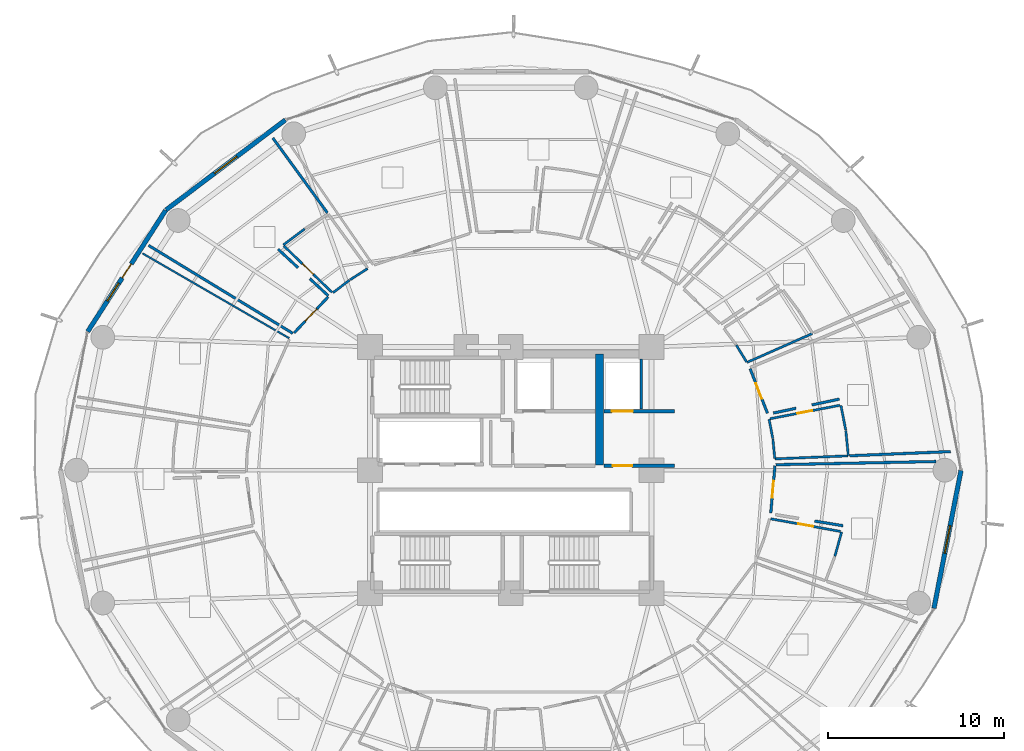
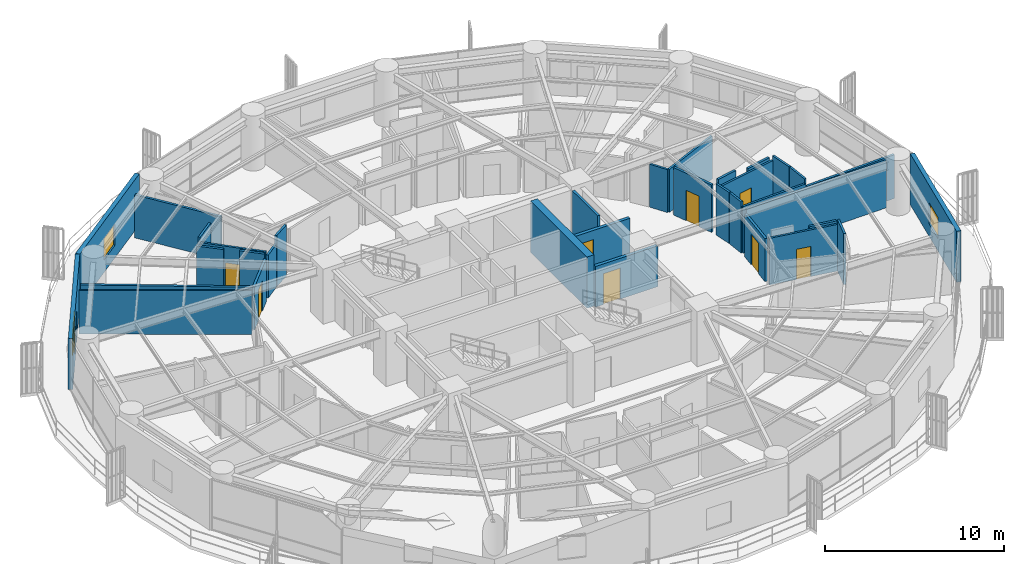
# One storey, part 29 of 35: 34 walls, 9 doors, 3 windows, 12 openings.
"""IFC4 building model written with IfcOpenShell, lengths in metres."""

import ifcopenshell
import ifcopenshell.guid

model = None  # the IFC model being written
_history = None  # IfcOwnerHistory: only IFC2X3 demands one
_inside = {}  # id of a spatial element -> (the spatial element, [elements in it])
_under = {}  # id of a project, library or spatial element -> (it, [spatial elements below it])
_declared = {}  # id of a project -> (the project, [libraries it declares])
_typed = {}  # id of a type object -> (the type object, [elements of that type])
_made_of = {}  # id of a material, layer set ... -> (it, [elements and type objects made of it])


def new_model(schema):
    """Start an empty IFC model of exactly this schema.

    Asked for "IFC4X3", IfcOpenShell would pick the latest addendum, in which some entities
    have other attributes; the version numbers below select the first issue.
    IFC2X3 requires an IfcOwnerHistory on every rooted entity: one is made here for all.
    """
    global model, _history
    if schema == "IFC4X3":
        model = ifcopenshell.file(schema_version=(4, 3, 0, 0))
    else:
        model = ifcopenshell.file(schema=schema)
    _inside.clear()
    _under.clear()
    _declared.clear()
    _typed.clear()
    _made_of.clear()
    _history = None
    if model.schema == "IFC2X3":
        org = make("IfcOrganization", Name="unknown")
        user = make(
            "IfcPersonAndOrganization",
            ThePerson=make("IfcPerson", FamilyName="unknown"),
            TheOrganization=org,
        )
        app = make(
            "IfcApplication",
            ApplicationDeveloper=org,
            Version="unknown",
            ApplicationFullName="unknown",
            ApplicationIdentifier="unknown",
        )
        _history = make(
            "IfcOwnerHistory",
            OwningUser=user,
            OwningApplication=app,
            ChangeAction="ADDED",
            CreationDate=0,
        )
    return model


def make(cls, **values):
    """One entity of the class cls with the attributes given. An attribute that is None is left unset."""
    return model.create_entity(
        cls, **{name: value for name, value in values.items() if value is not None}
    )


def rooted(cls, **values):
    """An entity with a GlobalId (a new one), such as an element, a storey or a relation."""
    return make(cls, GlobalId=ifcopenshell.guid.new(), OwnerHistory=_history, **values)


def si_unit(unit_type, name, prefix=None):
    """IfcSIUnit, for example si_unit("LENGTHUNIT", "METRE", prefix="MILLI")."""
    return make("IfcSIUnit", UnitType=unit_type, Prefix=prefix, Name=name)


def assignment(units):
    """IfcUnitAssignment: the units of a project."""
    return None if units is None else make("IfcUnitAssignment", Units=units)


def point(xyz):
    """IfcCartesianPoint."""
    return None if xyz is None else make("IfcCartesianPoint", Coordinates=xyz)


def direction(xyz):
    """IfcDirection."""
    return None if xyz is None else make("IfcDirection", DirectionRatios=xyz)


def frame(location, z_axis=None, x_axis=None):
    """IfcAxis2Placement3D, a coordinate frame: its origin and axes. An axis left out is left unset."""
    return make(
        "IfcAxis2Placement3D",
        Location=point(location),
        Axis=direction(z_axis),
        RefDirection=direction(x_axis),
    )


def frame_2d(location, x_axis=None):
    """IfcAxis2Placement2D, a coordinate frame in the plane: its origin and x axis."""
    return make(
        "IfcAxis2Placement2D", Location=point(location), RefDirection=direction(x_axis)
    )


def origin():
    """The frame at (0, 0, 0) with its axes left unset."""
    return frame((0.0, 0.0, 0.0))


def place(relative_to, where):
    """IfcLocalPlacement: puts the frame where relative to a parent placement (None: the world)."""
    return make(
        "IfcLocalPlacement", PlacementRelTo=relative_to, RelativePlacement=where
    )


def context(
    kind, dimensions, precision=None, world=None, true_north=None, identifier=None
):
    """IfcGeometricRepresentationContext, for example the 3D "Model" context."""
    return make(
        "IfcGeometricRepresentationContext",
        ContextIdentifier=identifier,
        ContextType=kind,
        CoordinateSpaceDimension=dimensions,
        Precision=precision,
        WorldCoordinateSystem=world,
        TrueNorth=true_north,
    )


def subcontext(parent, identifier, kind, view, scale=None):
    """IfcGeometricRepresentationSubContext, for example "Body" below "Model"."""
    return make(
        "IfcGeometricRepresentationSubContext",
        ContextIdentifier=identifier,
        ContextType=kind,
        ParentContext=parent,
        TargetScale=scale,
        TargetView=view,
    )


def project(units=None, contexts=None):
    """IfcProject with its units and contexts."""
    return rooted(
        "IfcProject",
        Name="project",
        RepresentationContexts=contexts,
        UnitsInContext=assignment(units),
    )


def spatial(cls, under=None, at=None, **own):
    """A site, building, storey or space (cls), placed at a placement, below another one or the project."""
    s = rooted(cls, ObjectPlacement=at, **own)
    if under is not None:
        _under.setdefault(under.id(), (under, []))[1].append(s)
    return s


def profile(cls, at=None, kind="AREA", **sizes):
    """A parametric profile (cls). Its sizes go by their IFC names, for example OverallWidth=200.0."""
    return make(cls, ProfileType=kind, Position=at, **sizes)


def rectangle(**sizes):
    """IfcRectangleProfileDef."""
    return profile("IfcRectangleProfileDef", **sizes)


def extrude(swept, where, along, depth):
    """IfcExtrudedAreaSolid: the profile swept, set in the frame where, extruded along a direction by depth."""
    return make(
        "IfcExtrudedAreaSolid",
        SweptArea=swept,
        Position=where,
        ExtrudedDirection=direction(along),
        Depth=depth,
    )


def shape(context_of_items, identifier, shape_type, items):
    """IfcShapeRepresentation: the items that make up one representation, for example the "Body"."""
    return make(
        "IfcShapeRepresentation",
        ContextOfItems=context_of_items,
        RepresentationIdentifier=identifier,
        RepresentationType=shape_type,
        Items=items,
    )


def material(Name=None, Category=None):
    """IfcMaterial."""
    return make("IfcMaterial", Name=Name, Category=Category)


def layer(
    of_material, thickness, ventilated=None, Name=None, Category=None, Priority=None
):
    """IfcMaterialLayer: one layer of a wall or slab, of a material (None: an air gap)."""
    return make(
        "IfcMaterialLayer",
        Material=of_material,
        LayerThickness=thickness,
        IsVentilated=ventilated,
        Name=Name,
        Category=Category,
        Priority=Priority,
    )


def layer_set(layers, Name=None):
    """IfcMaterialLayerSet."""
    return make("IfcMaterialLayerSet", MaterialLayers=layers, LayerSetName=Name)


def made_of(thing, what):
    """Note that an element or type object is made of a material, layer set ...; save() writes the relation."""
    if what is not None:
        _made_of.setdefault(what.id(), (what, []))[1].append(thing)
    return thing


def type_object(cls, material=None, **own):
    """A type object (cls), such as IfcWallType, which elements share."""
    return made_of(rooted(cls, **own), material)


def element(
    cls,
    number,
    at=None,
    inside=None,
    cuts=None,
    type_object=None,
    material=None,
    context=None,
    identifier="Body",
    shape_type=None,
    held_by="IfcProductDefinitionShape",
    body=None,
    shapes=None,
    **own,
):
    """One element of the class cls, such as IfcWall. Its Tag is "e" and its number.

    at: its placement. inside: the storey or other place that contains it. cuts: it is an
    opening in that element (IfcRelVoidsElement). A single representation is given by context,
    identifier, shape_type and body (its items); several are given by shapes. held_by: the class
    of the entity that holds the representations. save() writes the other relations.
    """
    e = rooted(cls, Tag="e%d" % number, ObjectPlacement=at, **own)
    if body is not None:
        shapes = [shape(context, identifier, shape_type, body)]
    if shapes is not None:
        e.Representation = make(held_by, Representations=shapes)
    if inside is not None:
        _inside.setdefault(inside.id(), (inside, []))[1].append(e)
    if cuts is not None:
        rooted(
            "IfcRelVoidsElement", RelatingBuildingElement=cuts, RelatedOpeningElement=e
        )
    if type_object is not None:
        _typed.setdefault(type_object.id(), (type_object, []))[1].append(e)
    return made_of(e, material)


def fill(opening, filler):
    """IfcRelFillsElement: the door or window that sits in an opening."""
    return rooted(
        "IfcRelFillsElement",
        RelatingOpeningElement=opening,
        RelatedBuildingElement=filler,
    )


def aggregate(whole, parts):
    """IfcRelAggregates: a whole, such as a stair, and the parts it consists of."""
    return rooted("IfcRelAggregates", RelatingObject=whole, RelatedObjects=parts)


def save(model, path):
    """Write the relations noted so far, then the file.

    IfcRelAggregates (storeys below a building ...), IfcRelContainedInSpatialStructure (elements
    in a storey), IfcRelDefinesByType, IfcRelAssociatesMaterial and IfcRelDeclares: one each for
    every whole, place, type object, material and project.
    """
    for whole, parts in _under.values():
        aggregate(whole, parts)
    for where, things in _inside.values():
        rooted(
            "IfcRelContainedInSpatialStructure",
            RelatedElements=things,
            RelatingStructure=where,
        )
    for kind, things in _typed.values():
        rooted("IfcRelDefinesByType", RelatedObjects=things, RelatingType=kind)
    for what, things in _made_of.values():
        rooted("IfcRelAssociatesMaterial", RelatedObjects=things, RelatingMaterial=what)
    for by, libraries in _declared.values():
        rooted("IfcRelDeclares", RelatingContext=by, RelatedDefinitions=libraries)
    model.write(path)


model = new_model("IFC4")

# Units and contexts
model_context = context("Model", 3, precision=1e-05, world=origin(), true_north=direction((0.0, 1.0)))
body_context = subcontext(model_context, "Body", "Model", "MODEL_VIEW")
ifc_project = project(units=[si_unit("LENGTHUNIT", "METRE"), si_unit("AREAUNIT", "SQUARE_METRE"), si_unit("VOLUMEUNIT", "CUBIC_METRE"), si_unit("PLANEANGLEUNIT", "RADIAN"), si_unit("MASSUNIT", "GRAM", prefix="KILO")], contexts=[model_context])

# Site, building, storey
site_placement = place(None, origin())
site = spatial("IfcSite", under=ifc_project, at=site_placement, CompositionType="ELEMENT")
building_placement = place(site_placement, origin())
building = spatial("IfcBuilding", under=site, at=building_placement, Name="Kelanora Arch Commons", CompositionType="ELEMENT")
storey_placement = place(building_placement, frame((0.0, 0.0, 95.10009765625)))
storey = spatial("IfcBuildingStorey", under=building, at=storey_placement, Name="L24", CompositionType="ELEMENT", Elevation=95.10009765625)

# Wall
ifc_material_1 = material(Name="Autoclaved aerated concrete blockwork with fire plaster", Category="masonry")
ifc_layer_1 = layer(ifc_material_1, 0.14990234375)
ifc_layer_set_1 = layer_set([ifc_layer_1], Name="Autoclaved aerated concrete blockwork with fire plaster")
wall_type_1 = type_object("IfcWallType", Name="W-COMP-150", PredefinedType="PARTITIONING", material=ifc_layer_set_1)
wall_1_placement = place(storey_placement, frame((81.419921875, 61.47998046875, 0.0), z_axis=(0.0, 0.0, 1.0), x_axis=(0.0, 1.0, 0.0)))
element("IfcWall", 1, at=wall_1_placement, inside=storey, type_object=wall_type_1, Name="Firefighting Lift 2 East Shaft Wall L24", PredefinedType="PARTITIONING", context=body_context, shape_type="SweptSolid", body=[
    extrude(rectangle(XDim=2.840087890625, YDim=0.14990234375, at=frame_2d((1.419921875, 0.0))), origin(), (0.0, 0.0, 1.0), 3.47998046875),
])

# Wall, opening, door
wall_2_placement = place(storey_placement, frame((63.61376953125, 67.844482421875, 0.0), z_axis=(0.0, 0.0, 1.0), x_axis=(-0.68683784084, -0.726810690889, 0.0)))
wall_2 = element("IfcWall", 2, at=wall_2_placement, inside=storey, type_object=wall_type_1, Name="Co-Living Studio L24-05 Entry Partition", PredefinedType="PARTITIONING", context=body_context, shape_type="SweptSolid", body=[
    extrude(rectangle(XDim=2.8095703125, YDim=0.14990234375, at=frame_2d((1.40478515625, 0.0))), origin(), (0.0, 0.0, 1.0), 2.9248046875),
])
opening_1_placement = place(wall_2_placement, frame((0.929931640625, 0.0, 0.0)))
opening_1 = element("IfcOpeningElement", 3, at=opening_1_placement, cuts=wall_2, Name="Opening D-CLU1", PredefinedType="OPENING", context=body_context, shape_type="SweptSolid", body=[
    extrude(rectangle(XDim=0.949951171875, YDim=2.080078125, at=frame_2d((0.47509765625, 1.0400390625))), frame((0.0, 0.0849609375, 0.0), z_axis=(0.0, -1.0, 0.0), x_axis=(1.0, 0.0, 0.0)), (0.0, 0.0, 1.0), 0.169921875),
])
ifc_material_2 = material(Name="Solid-core acoustic timber cluster entry fire door", Category="wood")
door_type_1 = type_object("IfcDoorType", Name="D-CLU-95", OperationType="NOTDEFINED", PredefinedType="DOOR", material=ifc_material_2)
door_1_placement = place(opening_1_placement, origin())
door_1 = element("IfcDoor", 4, at=door_1_placement, inside=storey, type_object=door_type_1, Name="Co-Living Studio L24-05 Door", OperationType="SINGLE_SWING_LEFT", OverallHeight=2.080078125, OverallWidth=0.949951171875, PredefinedType="DOOR", context=body_context, shape_type="SweptSolid", body=[
    extrude(rectangle(XDim=0.949951171875, YDim=2.080078125, at=frame_2d((0.47509765625, 1.0400390625))), frame((0.0, 0.02490234375, 0.0), z_axis=(0.0, -1.0, 0.0), x_axis=(1.0, 0.0, 0.0)), (0.0, 0.0, 1.0), 0.050048828125),
])
fill(opening_1, door_1)

wall_3_placement = place(storey_placement, frame((88.783203125, 55.57470703125, 0.0), z_axis=(0.0, 0.0, 1.0), x_axis=(0.088469625327, 0.996078875087, 0.0)))
wall_3 = element("IfcWall", 5, at=wall_3_placement, inside=storey, type_object=wall_type_1, Name="Co-Living Studio L24-14 Entry Partition", PredefinedType="PARTITIONING", context=body_context, shape_type="SweptSolid", body=[
    extrude(rectangle(XDim=2.68505859375, YDim=0.14990234375, at=frame_2d((1.342529296875, 0.0))), origin(), (0.0, 0.0, 1.0), 2.9248046875),
])
opening_2_placement = place(wall_3_placement, frame((0.866943359375, 0.0, 0.0)))
opening_2 = element("IfcOpeningElement", 6, at=opening_2_placement, cuts=wall_3, Name="Opening D-CLU1", PredefinedType="OPENING", context=body_context, shape_type="SweptSolid", body=[
    extrude(rectangle(XDim=0.949951171875, YDim=2.080078125, at=frame_2d((0.47509765625, 1.0400390625))), frame((0.0, 0.0849609375, 0.0), z_axis=(0.0, -1.0, 0.0), x_axis=(1.0, 0.0, 0.0)), (0.0, 0.0, 1.0), 0.169921875),
])
door_2_placement = place(opening_2_placement, origin())
door_2 = element("IfcDoor", 7, at=door_2_placement, inside=storey, type_object=door_type_1, Name="Co-Living Studio L24-14 Door", OperationType="SINGLE_SWING_RIGHT", OverallHeight=2.080078125, OverallWidth=0.949951171875, PredefinedType="DOOR", context=body_context, shape_type="SweptSolid", body=[
    extrude(rectangle(XDim=0.949951171875, YDim=2.080078125, at=frame_2d((0.47509765625, 1.0400390625))), frame((0.0, 0.02490234375, 0.0), z_axis=(0.0, -1.0, 0.0), x_axis=(1.0, 0.0, 0.0)), (0.0, 0.0, 1.0), 0.050048828125),
])
fill(opening_2, door_2)

wall_4_placement = place(storey_placement, frame((88.59326171875, 61.23583984375, 0.0), z_axis=(0.0, 0.0, 1.0), x_axis=(-0.361969309841, 0.93219001214, 0.0)))
wall_4 = element("IfcWall", 8, at=wall_4_placement, inside=storey, type_object=wall_type_1, Name="Co-Living Studio L24-15 Entry Partition", PredefinedType="PARTITIONING", context=body_context, shape_type="SweptSolid", body=[
    extrude(rectangle(XDim=2.717529296875, YDim=0.14990234375, at=frame_2d((1.35888671875, 0.0))), origin(), (0.0, 0.0, 1.0), 3.23486328125),
])
opening_3_placement = place(wall_4_placement, frame((0.884033203125, 0.0, 0.0)))
opening_3 = element("IfcOpeningElement", 9, at=opening_3_placement, cuts=wall_4, Name="Opening D-CLU1", PredefinedType="OPENING", context=body_context, shape_type="SweptSolid", body=[
    extrude(rectangle(XDim=0.949951171875, YDim=2.080078125, at=frame_2d((0.47509765625, 1.0400390625))), frame((0.0, 0.0849609375, 0.0), z_axis=(0.0, -1.0, 0.0), x_axis=(1.0, 0.0, 0.0)), (0.0, 0.0, 1.0), 0.169921875),
])
door_3_placement = place(opening_3_placement, origin())
door_3 = element("IfcDoor", 10, at=door_3_placement, inside=storey, type_object=door_type_1, Name="Co-Living Studio L24-15 Door", OperationType="SINGLE_SWING_RIGHT", OverallHeight=2.080078125, OverallWidth=0.949951171875, PredefinedType="DOOR", context=body_context, shape_type="SweptSolid", body=[
    extrude(rectangle(XDim=0.949951171875, YDim=2.080078125, at=frame_2d((0.47509765625, 1.0400390625))), frame((0.0, 0.02490234375, 0.0), z_axis=(0.0, -1.0, 0.0), x_axis=(1.0, 0.0, 0.0)), (0.0, 0.0, 1.0), 0.050048828125),
])
fill(opening_3, door_3)

# Walls
wall_5_placement = place(storey_placement, frame((61.60888671875, 65.77978515625, 0.0), z_axis=(0.0, 0.0, 1.0), x_axis=(-0.853785143599, 0.520625516634, 0.0)))
element("IfcWall", 11, at=wall_5_placement, inside=storey, type_object=wall_type_1, Name="Co-Living Studio L24-05 Enclosure Partition 2", PredefinedType="PARTITIONING", context=body_context, shape_type="SweptSolid", body=[
    extrude(rectangle(XDim=9.5966796875, YDim=0.14990234375, at=frame_2d((4.79833984375, 0.0))), origin(), (0.0, 0.0, 1.0), 2.974853515625),
])
wall_6_placement = place(storey_placement, frame((60.474609375, 76.884765625, 0.0), z_axis=(0.0, 0.0, 1.0), x_axis=(0.589128007392, -0.808039721119, 0.0)))
element("IfcWall", 12, at=wall_6_placement, inside=storey, type_object=wall_type_1, Name="Co-Living Studio L24-05 Enclosure Partition 5", PredefinedType="PARTITIONING", context=body_context, shape_type="SweptSolid", body=[
    extrude(rectangle(XDim=5.26513671875, YDim=0.14990234375, at=frame_2d((2.632568359375, 0.0))), origin(), (0.0, 0.0, 1.0), 2.9248046875),
])
wall_7_placement = place(storey_placement, frame((60.779296875, 70.556884765625, 0.0), z_axis=(0.0, 0.0, 1.0), x_axis=(0.732929378099, -0.680304730778, 0.0)))
element("IfcWall", 13, at=wall_7_placement, inside=storey, type_object=wall_type_1, Name="Co-Living Studio L24-05 Enclosure Partition 7", PredefinedType="PARTITIONING", context=body_context, shape_type="SweptSolid", body=[
    extrude(rectangle(XDim=1.53564453125, YDim=0.14990234375, at=frame_2d((0.767822265625, 0.0))), origin(), (0.0, 0.0, 1.0), 3.1748046875),
])
wall_8_placement = place(storey_placement, frame((62.579345703125, 68.88623046875, 0.0), z_axis=(0.0, 0.0, 1.0), x_axis=(0.733037104662, -0.680188652646, 0.0)))
element("IfcWall", 14, at=wall_8_placement, inside=storey, type_object=wall_type_1, Name="Co-Living Studio L24-05 Enclosure Partition 7", PredefinedType="PARTITIONING", context=body_context, shape_type="SweptSolid", body=[
    extrude(rectangle(XDim=1.427490234375, YDim=0.14990234375, at=frame_2d((0.7138671875, 0.0))), origin(), (0.0, 0.0, 1.0), 3.23486328125),
])
wall_9_placement = place(storey_placement, frame((89.06591796875, 58.309814453125, 0.0), z_axis=(0.0, 0.0, 1.0), x_axis=(0.999799952906, 0.020001354173, 0.0)))
element("IfcWall", 15, at=wall_9_placement, inside=storey, type_object=wall_type_1, Name="Co-Living Studio L24-14 Enclosure Partition 2", PredefinedType="PARTITIONING", context=body_context, shape_type="SweptSolid", body=[
    extrude(rectangle(XDim=9.117919921875, YDim=0.14990234375, at=frame_2d((4.55908203125, 0.0))), origin(), (0.0, 0.0, 1.0), 3.1748046875),
])
wall_10_placement = place(storey_placement, frame((92.888427734375, 54.843505859375, 0.0), z_axis=(0.0, 0.0, 1.0), x_axis=(-0.986922201966, 0.161197292988, 0.0)))
element("IfcWall", 16, at=wall_10_placement, inside=storey, type_object=wall_type_1, Name="Co-Living Studio L24-14 Enclosure Partition 7", PredefinedType="PARTITIONING", context=body_context, shape_type="SweptSolid", body=[
    extrude(rectangle(XDim=1.632568359375, YDim=0.14990234375, at=frame_2d((0.81640625, 0.0))), origin(), (0.0, 0.0, 1.0), 3.1748046875),
])
wall_11_placement = place(storey_placement, frame((99.011962890625, 59.057373046875, 0.0), z_axis=(0.0, 0.0, 1.0), x_axis=(-0.999136530054, -0.041547494638, 0.0)))
element("IfcWall", 17, at=wall_11_placement, inside=storey, type_object=wall_type_1, Name="Co-Living Studio L24-15 Enclosure Partition 5", PredefinedType="PARTITIONING", context=body_context, shape_type="SweptSolid", body=[
    extrude(rectangle(XDim=5.746826171875, YDim=0.14990234375, at=frame_2d((2.87353515625, 0.0))), origin(), (0.0, 0.0, 1.0), 2.974853515625),
])
wall_12_placement = place(storey_placement, frame((92.680908203125, 62.039794921875, 0.0), z_axis=(0.0, 0.0, 1.0), x_axis=(-0.978359809994, -0.206910807327, 0.0)))
element("IfcWall", 18, at=wall_12_placement, inside=storey, type_object=wall_type_1, Name="Co-Living Studio L24-15 Enclosure Partition 7", PredefinedType="PARTITIONING", context=body_context, shape_type="SweptSolid", body=[
    extrude(rectangle(XDim=1.598876953125, YDim=0.14990234375, at=frame_2d((0.79931640625, 0.0))), origin(), (0.0, 0.0, 1.0), 3.1748046875),
])
wall_13_placement = place(storey_placement, frame((90.21630859375, 61.5185546875, 0.0), z_axis=(0.0, 0.0, 1.0), x_axis=(-0.978356212177, -0.206927818562, 0.0)))
element("IfcWall", 19, at=wall_13_placement, inside=storey, type_object=wall_type_1, Name="Co-Living Studio L24-15 Enclosure Partition 7", PredefinedType="PARTITIONING", context=body_context, shape_type="SweptSolid", body=[
    extrude(rectangle(XDim=1.314453125, YDim=0.14990234375, at=frame_2d((0.6572265625, 0.0))), origin(), (0.0, 0.0, 1.0), 3.47998046875),
])
ifc_material_3 = material(Name="Concrete C60/75", Category="concrete")
ifc_layer_2 = layer(ifc_material_3, 0.449951171875)
ifc_layer_set_2 = layer_set([ifc_layer_2], Name="Concrete C60/75")
wall_type_2 = type_object("IfcWallType", Name="W-CORE-450", PredefinedType="SHEAR", material=ifc_layer_set_2)
wall_14_placement = place(storey_placement, frame((79.050048828125, 58.300048828125, 0.0), z_axis=(0.0, 0.0, 1.0), x_axis=(0.0, 1.0, 0.0)))
element("IfcWall", 20, at=wall_14_placement, inside=storey, type_object=wall_type_2, Name="Core Shear Spine L24-CE-N", PredefinedType="SHEAR", context=body_context, shape_type="SweptSolid", body=[
    extrude(rectangle(XDim=6.300048828125, YDim=0.449951171875, at=frame_2d((3.14990234375, 0.0))), origin(), (0.0, 0.0, 1.0), 3.489990234375),
])

# Wall, opening, window
ifc_material_4 = material(Name="Precast concrete C40/50 with terracotta rainscreen", Category="masonry")
ifc_layer_3 = layer(ifc_material_4, 0.260009765625)
ifc_layer_set_3 = layer_set([ifc_layer_3], Name="Precast concrete C40/50 with terracotta rainscreen")
wall_type_3 = type_object("IfcWallType", Name="W-EXT-TC", PredefinedType="SOLIDWALL", material=ifc_layer_set_3)
wall_15_placement = place(storey_placement, frame((61.18798828125, 77.90966796875, 0.0), z_axis=(0.0, 0.0, 1.0), x_axis=(-0.798501507879, -0.601992808857, 0.0)))
wall_15 = element("IfcWall", 21, at=wall_15_placement, inside=storey, type_object=wall_type_3, Name="Terracotta Exterior Wall L24-B06", PredefinedType="SOLIDWALL", context=body_context, shape_type="SweptSolid", body=[
    extrude(rectangle(XDim=8.499267578125, YDim=0.260009765625, at=frame_2d((4.24951171875, 0.0))), origin(), (0.0, 0.0, 1.0), 3.474853515625),
])
opening_4_placement = place(wall_15_placement, frame((3.449951171875, 0.0, 0.85009765625)))
opening_4 = element("IfcOpeningElement", 22, at=opening_4_placement, cuts=wall_15, Name="Opening WN-01", PredefinedType="OPENING", context=body_context, shape_type="SweptSolid", body=[
    extrude(rectangle(XDim=1.60009765625, YDim=1.449951171875, at=frame_2d((0.800048828125, 0.72509765625))), frame((0.0, 0.14013671875, 0.0), z_axis=(0.0, -1.0, 0.0), x_axis=(1.0, 0.0, 0.0)), (0.0, 0.0, 1.0), 0.280029296875),
])
ifc_material_5 = material(Name="Terracotta-anodised aluminium frame with operable low-E glazing", Category="masonry")
window_type_1 = type_object("IfcWindowType", Name="WIN-CL-18", PartitioningType="DOUBLE_PANEL_VERTICAL", PredefinedType="WINDOW", material=ifc_material_5)
window_1_placement = place(opening_4_placement, origin())
window_1 = element("IfcWindow", 23, at=window_1_placement, inside=storey, type_object=window_type_1, Name="Co-Living Operable Window L24-B06", OverallHeight=1.449951171875, OverallWidth=1.60009765625, PartitioningType="SINGLE_PANEL", PredefinedType="WINDOW", context=body_context, shape_type="SweptSolid", body=[
    extrude(rectangle(XDim=1.60009765625, YDim=1.449951171875, at=frame_2d((0.800048828125, 0.72509765625))), frame((0.0, 0.030029296875, 0.0), z_axis=(0.0, -1.0, 0.0), x_axis=(1.0, 0.0, 0.0)), (0.0, 0.0, 1.0), 0.06005859375),
])
fill(opening_4, window_1)

# Wall, openings, door, window
wall_16_placement = place(storey_placement, frame((54.381103515625, 72.771484375, 0.0), z_axis=(0.0, 0.0, 1.0), x_axis=(-0.540620528459, -0.841266571432, 0.0)))
wall_16 = element("IfcWall", 24, at=wall_16_placement, inside=storey, type_object=wall_type_3, Name="Terracotta Exterior Wall L24-B07", PredefinedType="SOLIDWALL", context=body_context, shape_type="SweptSolid", body=[
    extrude(rectangle(XDim=8.19287109375, YDim=0.260009765625, at=frame_2d((4.096435546875, 0.0))), origin(), (0.0, 0.0, 1.0), 3.474853515625),
])
opening_5_placement = place(wall_16_placement, frame((3.62109375, 0.0, 0.0)))
opening_5 = element("IfcOpeningElement", 25, at=opening_5_placement, cuts=wall_16, Name="Opening DB-01", PredefinedType="OPENING", context=body_context, shape_type="SweptSolid", body=[
    extrude(rectangle(XDim=0.949951171875, YDim=2.10009765625, at=frame_2d((0.47509765625, 1.050048828125))), frame((0.0, 0.14013671875, 0.0), z_axis=(0.0, -1.0, 0.0), x_axis=(1.0, 0.0, 0.0)), (0.0, 0.0, 1.0), 0.280029296875),
])
opening_6_placement = place(wall_16_placement, frame((4.9208984375, 0.0, 0.85009765625)))
opening_6 = element("IfcOpeningElement", 26, at=opening_6_placement, cuts=wall_16, Name="Opening WN-02", PredefinedType="OPENING", context=body_context, shape_type="SweptSolid", body=[
    extrude(rectangle(XDim=1.199951171875, YDim=1.449951171875, at=frame_2d((0.60009765625, 0.72509765625))), frame((0.0, 0.14013671875, 0.0), z_axis=(0.0, -1.0, 0.0), x_axis=(1.0, 0.0, 0.0)), (0.0, 0.0, 1.0), 0.280029296875),
])
ifc_material_6 = material(Name="Terracotta-aluminium thermally broken glazed balcony door", Category="masonry")
door_type_2 = type_object("IfcDoorType", Name="D-BAL-10", OperationType="NOTDEFINED", PredefinedType="DOOR", material=ifc_material_6)
door_4_placement = place(opening_5_placement, frame((0.949951171875, 0.0, 0.0), z_axis=(0.0, 0.0, 1.0), x_axis=(-1.0, 0.0, 0.0)))
door_4 = element("IfcDoor", 27, at=door_4_placement, inside=storey, type_object=door_type_2, Name="Wave Balcony Door L24-B07", OperationType="SINGLE_SWING_RIGHT", OverallHeight=2.10009765625, OverallWidth=0.949951171875, PredefinedType="DOOR", context=body_context, shape_type="SweptSolid", body=[
    extrude(rectangle(XDim=0.949951171875, YDim=2.10009765625, at=frame_2d((0.47509765625, 1.050048828125))), frame((0.0, 0.02490234375, 0.0), z_axis=(0.0, -1.0, 0.0), x_axis=(1.0, 0.0, 0.0)), (0.0, 0.0, 1.0), 0.050048828125),
])
fill(opening_5, door_4)
ifc_material_7 = material(Name="Terracotta-anodised aluminium frame with operable awning sash", Category="masonry")
window_type_2 = type_object("IfcWindowType", Name="WIN-CL-12", PartitioningType="SINGLE_PANEL", PredefinedType="WINDOW", material=ifc_material_7)
window_2_placement = place(opening_6_placement, origin())
window_2 = element("IfcWindow", 28, at=window_2_placement, inside=storey, type_object=window_type_2, Name="Co-Living Operable Window L24-B07", OverallHeight=1.449951171875, OverallWidth=1.199951171875, PartitioningType="SINGLE_PANEL", PredefinedType="WINDOW", context=body_context, shape_type="SweptSolid", body=[
    extrude(rectangle(XDim=1.199951171875, YDim=1.449951171875, at=frame_2d((0.60009765625, 0.72509765625))), frame((0.0, 0.030029296875, 0.0), z_axis=(0.0, -1.0, 0.0), x_axis=(1.0, 0.0, 0.0)), (0.0, 0.0, 1.0), 0.06005859375),
])
fill(opening_6, window_2)

# Wall, opening, window
wall_17_placement = place(storey_placement, frame((98.05908203125, 50.148193359375, 0.0), z_axis=(0.0, 0.0, 1.0), x_axis=(0.192581843632, 0.981280914674, 0.0)))
wall_17 = element("IfcWall", 29, at=wall_17_placement, inside=storey, type_object=wall_type_3, Name="Terracotta Exterior Wall L24-B17", PredefinedType="SOLIDWALL", context=body_context, shape_type="SweptSolid", body=[
    extrude(rectangle(XDim=7.986572265625, YDim=0.260009765625, at=frame_2d((3.9931640625, 0.0))), origin(), (0.0, 0.0, 1.0), 3.474853515625),
])
opening_7_placement = place(wall_17_placement, frame((3.193115234375, 0.0, 0.85009765625)))
opening_7 = element("IfcOpeningElement", 30, at=opening_7_placement, cuts=wall_17, Name="Opening WN-01", PredefinedType="OPENING", context=body_context, shape_type="SweptSolid", body=[
    extrude(rectangle(XDim=1.60009765625, YDim=1.449951171875, at=frame_2d((0.800048828125, 0.72509765625))), frame((0.0, 0.14013671875, 0.0), z_axis=(0.0, -1.0, 0.0), x_axis=(1.0, 0.0, 0.0)), (0.0, 0.0, 1.0), 0.280029296875),
])
window_3_placement = place(opening_7_placement, origin())
window_3 = element("IfcWindow", 31, at=window_3_placement, inside=storey, type_object=window_type_1, Name="Co-Living Operable Window L24-B17", OverallHeight=1.449951171875, OverallWidth=1.60009765625, PartitioningType="SINGLE_PANEL", PredefinedType="WINDOW", context=body_context, shape_type="SweptSolid", body=[
    extrude(rectangle(XDim=1.60009765625, YDim=1.449951171875, at=frame_2d((0.800048828125, 0.72509765625))), frame((0.0, 0.030029296875, 0.0), z_axis=(0.0, -1.0, 0.0), x_axis=(1.0, 0.0, 0.0)), (0.0, 0.0, 1.0), 0.06005859375),
])
fill(opening_7, window_3)

# Wall, opening, door
ifc_material_8 = material(Name="Concrete C40/50", Category="concrete")
ifc_layer_4 = layer(ifc_material_8, 0.199951171875)
ifc_layer_set_4 = layer_set([ifc_layer_4], Name="Concrete C40/50")
wall_type_4 = type_object("IfcWallType", Name="W-FFL-200", PredefinedType="SOLIDWALL", material=ifc_layer_set_4)
wall_18_placement = place(storey_placement, frame((79.300048828125, 61.35009765625, 0.0), z_axis=(0.0, 0.0, 1.0), x_axis=(1.0, 0.0, 0.0)))
wall_18 = element("IfcWall", 32, at=wall_18_placement, inside=storey, type_object=wall_type_4, Name="Firefighting Lift 2 Shaft Front L24", PredefinedType="SOLIDWALL", context=body_context, shape_type="SweptSolid", body=[
    extrude(rectangle(XDim=4.0, YDim=0.199951171875, at=frame_2d((2.0, 0.0))), origin(), (0.0, 0.0, 1.0), 2.77490234375),
])
opening_8_placement = place(wall_18_placement, frame((0.449951171875, 0.0, 0.0)))
opening_8 = element("IfcOpeningElement", 33, at=opening_8_placement, cuts=wall_18, Name="Opening LD-FF", PredefinedType="OPENING", context=body_context, shape_type="SweptSolid", body=[
    extrude(rectangle(XDim=1.199951171875, YDim=2.14990234375, at=frame_2d((0.60009765625, 1.074951171875))), frame((0.0, 0.10986328125, 0.0), z_axis=(0.0, -1.0, 0.0), x_axis=(1.0, 0.0, 0.0)), (0.0, 0.0, 1.0), 0.219970703125),
])
ifc_material_9 = material(Name="Fire-rated firefighters lift sliding landing door")
door_type_3 = type_object("IfcDoorType", Name="D-LIFT-FF", OperationType="NOTDEFINED", PredefinedType="DOOR", material=ifc_material_9)
door_5_placement = place(opening_8_placement, origin())
door_5 = element("IfcDoor", 34, at=door_5_placement, inside=storey, type_object=door_type_3, Name="Firefighting Lift LF-FF2 Landing Door L24", OperationType="DOUBLE_DOOR_SLIDING", OverallHeight=2.14990234375, OverallWidth=1.199951171875, PredefinedType="DOOR", context=body_context, shape_type="SweptSolid", body=[
    extrude(rectangle(XDim=1.199951171875, YDim=2.14990234375, at=frame_2d((0.60009765625, 1.074951171875))), frame((0.0, 0.02490234375, 0.0), z_axis=(0.0, -1.0, 0.0), x_axis=(1.0, 0.0, 0.0)), (0.0, 0.0, 1.0), 0.050048828125),
])
fill(opening_8, door_5)

wall_19_placement = place(storey_placement, frame((79.300048828125, 58.25, 0.0), z_axis=(0.0, 0.0, 1.0), x_axis=(1.0, 0.0, 0.0)))
wall_19 = element("IfcWall", 35, at=wall_19_placement, inside=storey, type_object=wall_type_4, Name="Firefighting Lobby 2 Enclosure Wall L24", PredefinedType="SOLIDWALL", context=body_context, shape_type="SweptSolid", body=[
    extrude(rectangle(XDim=4.0, YDim=0.199951171875, at=frame_2d((2.0, 0.0))), origin(), (0.0, 0.0, 1.0), 2.77490234375),
])
opening_9_placement = place(wall_19_placement, frame((0.5, 0.0, 0.0)))
opening_9 = element("IfcOpeningElement", 36, at=opening_9_placement, cuts=wall_19, Name="Opening D-FFL1", PredefinedType="OPENING", context=body_context, shape_type="SweptSolid", body=[
    extrude(rectangle(XDim=1.10009765625, YDim=2.10009765625, at=frame_2d((0.550048828125, 1.050048828125))), frame((0.0, 0.10986328125, 0.0), z_axis=(0.0, -1.0, 0.0), x_axis=(1.0, 0.0, 0.0)), (0.0, 0.0, 1.0), 0.219970703125),
])
ifc_material_10 = material(Name="Smoke-sealed firefighting lobby fire door")
door_type_4 = type_object("IfcDoorType", Name="D-FFL-110", OperationType="NOTDEFINED", PredefinedType="DOOR", material=ifc_material_10)
door_6_placement = place(opening_9_placement, frame((1.10009765625, 0.0, 0.0), z_axis=(0.0, 0.0, 1.0), x_axis=(-1.0, 0.0, 0.0)))
door_6 = element("IfcDoor", 37, at=door_6_placement, inside=storey, type_object=door_type_4, Name="Firefighting Lobby 2 Door L24", OperationType="SINGLE_SWING_RIGHT", OverallHeight=2.10009765625, OverallWidth=1.10009765625, PredefinedType="DOOR", context=body_context, shape_type="SweptSolid", body=[
    extrude(rectangle(XDim=1.10009765625, YDim=2.10009765625, at=frame_2d((0.550048828125, 1.050048828125))), frame((0.0, 0.02490234375, 0.0), z_axis=(0.0, -1.0, 0.0), x_axis=(1.0, 0.0, 0.0)), (0.0, 0.0, 1.0), 0.050048828125),
])
fill(opening_9, door_6)

# Wall
ifc_material_11 = material(Name="Lightweight fire-rated acoustic stud partition")
ifc_layer_5 = layer(ifc_material_11, 0.10009765625)
ifc_layer_set_5 = layer_set([ifc_layer_5], Name="Lightweight fire-rated acoustic stud partition")
wall_type_5 = type_object("IfcWallType", Name="W-PART-100", PredefinedType="PARTITIONING", material=ifc_layer_set_5)
wall_20_placement = place(storey_placement, frame((53.072509765625, 70.322021484375, 0.0), z_axis=(0.0, 0.0, 1.0), x_axis=(0.865606852524, -0.500724252322, 0.0)))
element("IfcWall", 38, at=wall_20_placement, inside=storey, type_object=wall_type_5, Name="Social Sky Lounge L24-06 Enclosure Partition 4", PredefinedType="PARTITIONING", context=body_context, shape_type="SweptSolid", body=[
    extrude(rectangle(XDim=9.624267578125, YDim=0.10009765625, at=frame_2d((4.81201171875, 0.0))), origin(), (0.0, 0.0, 1.0), 2.974853515625),
])

# Wall, opening, door
ifc_material_12 = material(Name="Moisture-resistant fire-rated cement-board plumbing wall")
ifc_layer_6 = layer(ifc_material_12, 0.1298828125)
ifc_layer_set_6 = layer_set([ifc_layer_6], Name="Moisture-resistant fire-rated cement-board plumbing wall")
wall_type_6 = type_object("IfcWallType", Name="W-WET-120", PredefinedType="PLUMBINGWALL", material=ifc_layer_set_6)
wall_21_placement = place(storey_placement, frame((63.832763671875, 68.11572265625, 0.0), z_axis=(0.0, 0.0, 1.0), x_axis=(-0.719513452588, 0.694478503299, 0.0)))
wall_21 = element("IfcWall", 39, at=wall_21_placement, inside=storey, type_object=wall_type_6, Name="En-Suite Shower WC L24-05 Entry Partition", PredefinedType="PLUMBINGWALL", context=body_context, shape_type="SweptSolid", body=[
    extrude(rectangle(XDim=3.79345703125, YDim=0.1298828125, at=frame_2d((1.896728515625, 0.0))), origin(), (0.0, 0.0, 1.0), 3.1748046875),
])
opening_10_placement = place(wall_21_placement, frame((1.467041015625, 0.0, 0.0)))
opening_10 = element("IfcOpeningElement", 40, at=opening_10_placement, cuts=wall_21, Name="Opening D-BT1", PredefinedType="OPENING", context=body_context, shape_type="SweptSolid", body=[
    extrude(rectangle(XDim=0.860107421875, YDim=2.050048828125, at=frame_2d((0.43017578125, 1.02490234375))), frame((0.0, 0.074951171875, 0.0), z_axis=(0.0, -1.0, 0.0), x_axis=(1.0, 0.0, 0.0)), (0.0, 0.0, 1.0), 0.14990234375),
])
ifc_material_13 = material(Name="Moisture-sealed fire-rated accessible bathroom door")
door_type_5 = type_object("IfcDoorType", Name="D-BATH-85", OperationType="NOTDEFINED", PredefinedType="DOOR", material=ifc_material_13)
door_7_placement = place(opening_10_placement, origin())
door_7 = element("IfcDoor", 41, at=door_7_placement, inside=storey, type_object=door_type_5, Name="En-Suite Shower WC L24-05 Door", OperationType="SINGLE_SWING_RIGHT", OverallHeight=2.050048828125, OverallWidth=0.860107421875, PredefinedType="DOOR", context=body_context, shape_type="SweptSolid", body=[
    extrude(rectangle(XDim=0.860107421875, YDim=2.050048828125, at=frame_2d((0.43017578125, 1.02490234375))), frame((0.0, 0.02490234375, 0.0), z_axis=(0.0, -1.0, 0.0), x_axis=(1.0, 0.0, 0.0)), (0.0, 0.0, 1.0), 0.050048828125),
])
fill(opening_10, door_7)

wall_22_placement = place(storey_placement, frame((88.779052734375, 55.2353515625, 0.0), z_axis=(0.0, 0.0, 1.0), x_axis=(0.983931701878, -0.178545249279, 0.0)))
wall_22 = element("IfcWall", 42, at=wall_22_placement, inside=storey, type_object=wall_type_6, Name="En-Suite Shower WC L24-14 Entry Partition", PredefinedType="PLUMBINGWALL", context=body_context, shape_type="SweptSolid", body=[
    extrude(rectangle(XDim=4.0419921875, YDim=0.1298828125, at=frame_2d((2.02099609375, 0.0))), origin(), (0.0, 0.0, 1.0), 3.1748046875),
])
opening_11_placement = place(wall_22_placement, frame((1.591064453125, 0.0, 0.0)))
opening_11 = element("IfcOpeningElement", 43, at=opening_11_placement, cuts=wall_22, Name="Opening D-BT1", PredefinedType="OPENING", context=body_context, shape_type="SweptSolid", body=[
    extrude(rectangle(XDim=0.860107421875, YDim=2.050048828125, at=frame_2d((0.43017578125, 1.02490234375))), frame((0.0, 0.074951171875, 0.0), z_axis=(0.0, -1.0, 0.0), x_axis=(1.0, 0.0, 0.0)), (0.0, 0.0, 1.0), 0.14990234375),
])
door_8_placement = place(opening_11_placement, origin())
door_8 = element("IfcDoor", 44, at=door_8_placement, inside=storey, type_object=door_type_5, Name="En-Suite Shower WC L24-14 Door", OperationType="SINGLE_SWING_LEFT", OverallHeight=2.050048828125, OverallWidth=0.860107421875, PredefinedType="DOOR", context=body_context, shape_type="SweptSolid", body=[
    extrude(rectangle(XDim=0.860107421875, YDim=2.050048828125, at=frame_2d((0.43017578125, 1.02490234375))), frame((0.0, 0.02490234375, 0.0), z_axis=(0.0, -1.0, 0.0), x_axis=(1.0, 0.0, 0.0)), (0.0, 0.0, 1.0), 0.050048828125),
])
fill(opening_11, door_8)

wall_23_placement = place(storey_placement, frame((88.741943359375, 60.92529296875, 0.0), z_axis=(0.0, 0.0, 1.0), x_axis=(0.981973232987, 0.189020024595, 0.0)))
wall_23 = element("IfcWall", 45, at=wall_23_placement, inside=storey, type_object=wall_type_6, Name="En-Suite Shower WC L24-15 Entry Partition", PredefinedType="PLUMBINGWALL", context=body_context, shape_type="SweptSolid", body=[
    extrude(rectangle(XDim=4.038818359375, YDim=0.1298828125, at=frame_2d((2.01953125, 0.0))), origin(), (0.0, 0.0, 1.0), 3.1748046875),
])
opening_12_placement = place(wall_23_placement, frame((1.590087890625, 0.0, 0.0)))
opening_12 = element("IfcOpeningElement", 46, at=opening_12_placement, cuts=wall_23, Name="Opening D-BT1", PredefinedType="OPENING", context=body_context, shape_type="SweptSolid", body=[
    extrude(rectangle(XDim=0.860107421875, YDim=2.050048828125, at=frame_2d((0.43017578125, 1.02490234375))), frame((0.0, 0.074951171875, 0.0), z_axis=(0.0, -1.0, 0.0), x_axis=(1.0, 0.0, 0.0)), (0.0, 0.0, 1.0), 0.14990234375),
])
door_9_placement = place(opening_12_placement, origin())
door_9 = element("IfcDoor", 47, at=door_9_placement, inside=storey, type_object=door_type_5, Name="En-Suite Shower WC L24-15 Door", OperationType="SINGLE_SWING_LEFT", OverallHeight=2.050048828125, OverallWidth=0.860107421875, PredefinedType="DOOR", context=body_context, shape_type="SweptSolid", body=[
    extrude(rectangle(XDim=0.860107421875, YDim=2.050048828125, at=frame_2d((0.43017578125, 1.02490234375))), frame((0.0, 0.02490234375, 0.0), z_axis=(0.0, -1.0, 0.0), x_axis=(1.0, 0.0, 0.0)), (0.0, 0.0, 1.0), 0.050048828125),
])
fill(opening_12, door_9)

# Walls
wall_24_placement = place(storey_placement, frame((87.41650390625, 64.14111328125, 0.0), z_axis=(0.0, 0.0, 1.0), x_axis=(-0.52310141153, 0.852270446077, 0.0)))
element("IfcWall", 48, at=wall_24_placement, inside=storey, type_object=wall_type_6, Name="En-Suite Shower WC L24-01 Enclosure Partition 1", PredefinedType="PLUMBINGWALL", context=body_context, shape_type="SweptSolid", body=[
    extrude(rectangle(XDim=1.135498046875, YDim=0.1298828125, at=frame_2d((0.56787109375, 0.0))), origin(), (0.0, 0.0, 1.0), 2.9248046875),
])
wall_25_placement = place(storey_placement, frame((91.144775390625, 65.767822265625, 0.0), z_axis=(0.0, 0.0, 1.0), x_axis=(-0.914586427441, -0.404390487946, 0.0)))
element("IfcWall", 49, at=wall_25_placement, inside=storey, type_object=wall_type_6, Name="En-Suite Shower WC L24-01 Enclosure Partition 6", PredefinedType="PLUMBINGWALL", context=body_context, shape_type="SweptSolid", body=[
    extrude(rectangle(XDim=4.044921875, YDim=0.1298828125, at=frame_2d((2.0224609375, 0.0))), origin(), (0.0, 0.0, 1.0), 2.9248046875),
])
wall_26_placement = place(storey_placement, frame((65.863037109375, 69.459228515625, 0.0), z_axis=(0.0, 0.0, 1.0), x_axis=(-0.842932135958, -0.538019901276, 0.0)))
element("IfcWall", 50, at=wall_26_placement, inside=storey, type_object=wall_type_6, Name="En-Suite Shower WC L24-05 Enclosure Partition 1", PredefinedType="PLUMBINGWALL", context=body_context, shape_type="SweptSolid", body=[
    extrude(rectangle(XDim=1.1865234375, YDim=0.1298828125, at=frame_2d((0.59326171875, 0.0))), origin(), (0.0, 0.0, 1.0), 3.47998046875),
])
wall_27_placement = place(storey_placement, frame((64.830078125, 68.7978515625, 0.0), z_axis=(0.0, 0.0, 1.0), x_axis=(-0.796729134499, -0.604336567022, 0.0)))
element("IfcWall", 51, at=wall_27_placement, inside=storey, type_object=wall_type_6, Name="En-Suite Shower WC L24-05 Enclosure Partition 2", PredefinedType="PLUMBINGWALL", context=body_context, shape_type="SweptSolid", body=[
    extrude(rectangle(XDim=1.177490234375, YDim=0.1298828125, at=frame_2d((0.5888671875, 0.0))), origin(), (0.0, 0.0, 1.0), 2.9248046875),
])
wall_28_placement = place(storey_placement, frame((61.075927734375, 70.803955078125, 0.0), z_axis=(0.0, 0.0, 1.0), x_axis=(0.798136421733, 0.602476764949, 0.0)))
element("IfcWall", 52, at=wall_28_placement, inside=storey, type_object=wall_type_6, Name="En-Suite Shower WC L24-05 Enclosure Partition 4", PredefinedType="PLUMBINGWALL", context=body_context, shape_type="SweptSolid", body=[
    extrude(rectangle(XDim=1.51220703125, YDim=0.1298828125, at=frame_2d((0.756103515625, 0.0))), origin(), (0.0, 0.0, 1.0), 3.47998046875),
])
wall_29_placement = place(storey_placement, frame((92.8095703125, 54.483642578125, 0.0), z_axis=(0.0, 0.0, 1.0), x_axis=(-0.268041350083, -0.963407408445, 0.0)))
element("IfcWall", 53, at=wall_29_placement, inside=storey, type_object=wall_type_6, Name="En-Suite Shower WC L24-14 Enclosure Partition 4", PredefinedType="PLUMBINGWALL", context=body_context, shape_type="SweptSolid", body=[
    extrude(rectangle(XDim=1.425537109375, YDim=0.1298828125, at=frame_2d((0.712890625, 0.0))), origin(), (0.0, 0.0, 1.0), 3.47998046875),
])
wall_30_placement = place(storey_placement, frame((89.010986328125, 58.661865234375, 0.0), z_axis=(0.0, 0.0, 1.0), x_axis=(-0.097430149617, 0.995242365429, 0.0)))
element("IfcWall", 54, at=wall_30_placement, inside=storey, type_object=wall_type_6, Name="En-Suite Shower WC L24-15 Enclosure Partition 1", PredefinedType="PLUMBINGWALL", context=body_context, shape_type="SweptSolid", body=[
    extrude(rectangle(XDim=1.107666015625, YDim=0.1298828125, at=frame_2d((0.5537109375, 0.0))), origin(), (0.0, 0.0, 1.0), 3.47998046875),
])
wall_31_placement = place(storey_placement, frame((88.897216796875, 59.8037109375, 0.0), z_axis=(0.0, 0.0, 1.0), x_axis=(-0.18947511119, 0.981885523999, 0.0)))
element("IfcWall", 55, at=wall_31_placement, inside=storey, type_object=wall_type_6, Name="En-Suite Shower WC L24-15 Enclosure Partition 2", PredefinedType="PLUMBINGWALL", context=body_context, shape_type="SweptSolid", body=[
    extrude(rectangle(XDim=1.110595703125, YDim=0.1298828125, at=frame_2d((0.55517578125, 0.0))), origin(), (0.0, 0.0, 1.0), 3.47998046875),
])
wall_32_placement = place(storey_placement, frame((92.770751953125, 61.680419921875, 0.0), z_axis=(0.0, 0.0, 1.0), x_axis=(0.191058204905, -0.981578709192, 0.0)))
element("IfcWall", 56, at=wall_32_placement, inside=storey, type_object=wall_type_6, Name="En-Suite Shower WC L24-15 Enclosure Partition 4", PredefinedType="PLUMBINGWALL", context=body_context, shape_type="SweptSolid", body=[
    extrude(rectangle(XDim=1.4208984375, YDim=0.1298828125, at=frame_2d((0.71044921875, 0.0))), origin(), (0.0, 0.0, 1.0), 3.47998046875),
])
wall_33_placement = place(storey_placement, frame((93.048095703125, 60.24609375, 0.0), z_axis=(0.0, 0.0, 1.0), x_axis=(0.098651373381, -0.995122056097, 0.0)))
element("IfcWall", 57, at=wall_33_placement, inside=storey, type_object=wall_type_6, Name="En-Suite Shower WC L24-15 Enclosure Partition 5", PredefinedType="PLUMBINGWALL", context=body_context, shape_type="SweptSolid", body=[
    extrude(rectangle(XDim=1.41796875, YDim=0.1298828125, at=frame_2d((0.708984375, 0.0))), origin(), (0.0, 0.0, 1.0), 3.47998046875),
])
wall_34_placement = place(storey_placement, frame((93.169921875, 58.814208984375, 0.0), z_axis=(0.0, 0.0, 1.0), x_axis=(-0.999142957242, -0.041392644201, 0.0)))
element("IfcWall", 58, at=wall_34_placement, inside=storey, type_object=wall_type_6, Name="En-Suite Shower WC L24-15 Enclosure Partition 6", PredefinedType="PLUMBINGWALL", context=body_context, shape_type="SweptSolid", body=[
    extrude(rectangle(XDim=4.140625, YDim=0.1298828125, at=frame_2d((2.0703125, 0.0))), origin(), (0.0, 0.0, 1.0), 3.1748046875),
])

save(model, "model.ifc")
